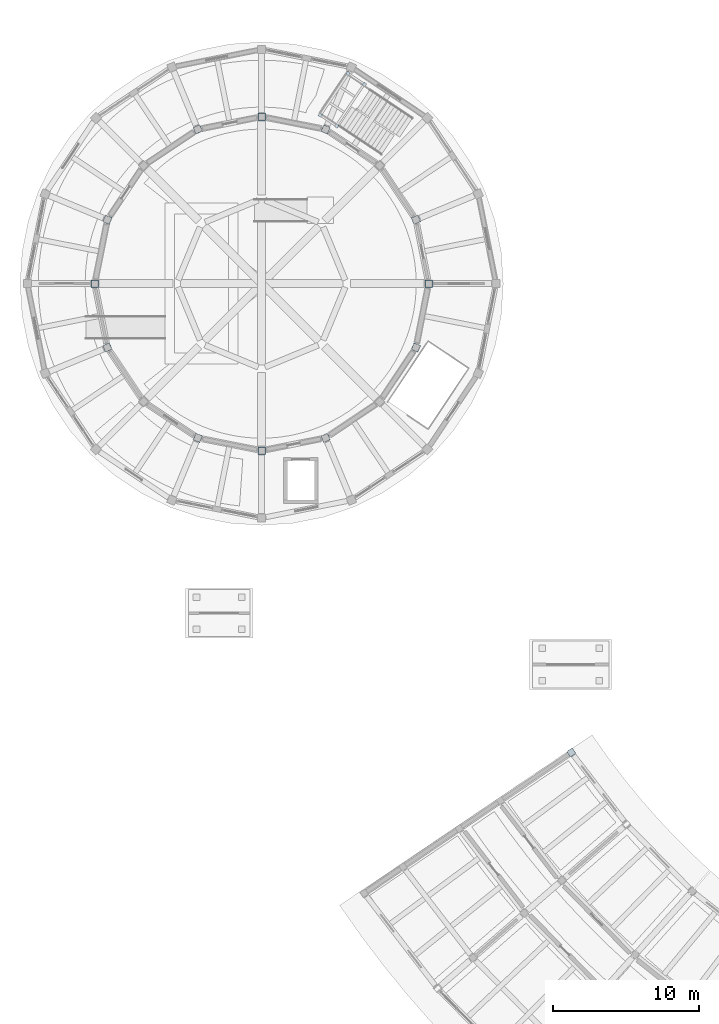
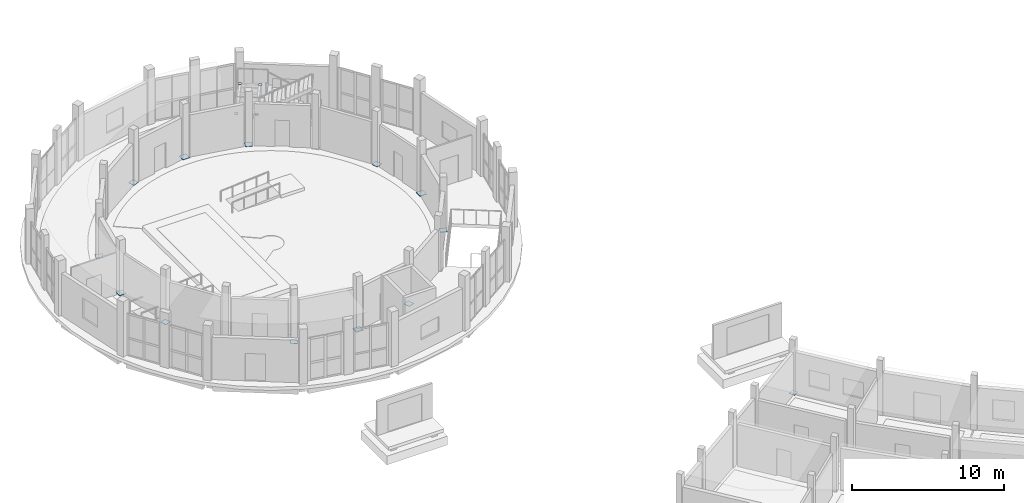
# One storey, part 62 of 92: 17 plates.
"""IFC4 building model written with IfcOpenShell, lengths in metres."""

import ifcopenshell
import ifcopenshell.guid

model = None  # the IFC model being written
_history = None  # IfcOwnerHistory: only IFC2X3 demands one
_inside = {}  # id of a spatial element -> (the spatial element, [elements in it])
_under = {}  # id of a project, library or spatial element -> (it, [spatial elements below it])
_declared = {}  # id of a project -> (the project, [libraries it declares])
_typed = {}  # id of a type object -> (the type object, [elements of that type])
_made_of = {}  # id of a material, layer set ... -> (it, [elements and type objects made of it])


def new_model(schema):
    """Start an empty IFC model of exactly this schema.

    Asked for "IFC4X3", IfcOpenShell would pick the latest addendum, in which some entities
    have other attributes; the version numbers below select the first issue.
    IFC2X3 requires an IfcOwnerHistory on every rooted entity: one is made here for all.
    """
    global model, _history
    if schema == "IFC4X3":
        model = ifcopenshell.file(schema_version=(4, 3, 0, 0))
    else:
        model = ifcopenshell.file(schema=schema)
    _inside.clear()
    _under.clear()
    _declared.clear()
    _typed.clear()
    _made_of.clear()
    _history = None
    if model.schema == "IFC2X3":
        org = make("IfcOrganization", Name="unknown")
        user = make(
            "IfcPersonAndOrganization",
            ThePerson=make("IfcPerson", FamilyName="unknown"),
            TheOrganization=org,
        )
        app = make(
            "IfcApplication",
            ApplicationDeveloper=org,
            Version="unknown",
            ApplicationFullName="unknown",
            ApplicationIdentifier="unknown",
        )
        _history = make(
            "IfcOwnerHistory",
            OwningUser=user,
            OwningApplication=app,
            ChangeAction="ADDED",
            CreationDate=0,
        )
    return model


def make(cls, **values):
    """One entity of the class cls with the attributes given. An attribute that is None is left unset."""
    return model.create_entity(
        cls, **{name: value for name, value in values.items() if value is not None}
    )


def rooted(cls, **values):
    """An entity with a GlobalId (a new one), such as an element, a storey or a relation."""
    return make(cls, GlobalId=ifcopenshell.guid.new(), OwnerHistory=_history, **values)


def si_unit(unit_type, name, prefix=None):
    """IfcSIUnit, for example si_unit("LENGTHUNIT", "METRE", prefix="MILLI")."""
    return make("IfcSIUnit", UnitType=unit_type, Prefix=prefix, Name=name)


def assignment(units):
    """IfcUnitAssignment: the units of a project."""
    return None if units is None else make("IfcUnitAssignment", Units=units)


def point(xyz):
    """IfcCartesianPoint."""
    return None if xyz is None else make("IfcCartesianPoint", Coordinates=xyz)


def direction(xyz):
    """IfcDirection."""
    return None if xyz is None else make("IfcDirection", DirectionRatios=xyz)


def frame(location, z_axis=None, x_axis=None):
    """IfcAxis2Placement3D, a coordinate frame: its origin and axes. An axis left out is left unset."""
    return make(
        "IfcAxis2Placement3D",
        Location=point(location),
        Axis=direction(z_axis),
        RefDirection=direction(x_axis),
    )


def frame_2d(location, x_axis=None):
    """IfcAxis2Placement2D, a coordinate frame in the plane: its origin and x axis."""
    return make(
        "IfcAxis2Placement2D", Location=point(location), RefDirection=direction(x_axis)
    )


def origin():
    """The frame at (0, 0, 0) with its axes left unset."""
    return frame((0.0, 0.0, 0.0))


def origin_2d():
    """The frame at (0, 0) in the plane with its x axis left unset."""
    return frame_2d((0.0, 0.0))


def place(relative_to, where):
    """IfcLocalPlacement: puts the frame where relative to a parent placement (None: the world)."""
    return make(
        "IfcLocalPlacement", PlacementRelTo=relative_to, RelativePlacement=where
    )


def context(
    kind, dimensions, precision=None, world=None, true_north=None, identifier=None
):
    """IfcGeometricRepresentationContext, for example the 3D "Model" context."""
    return make(
        "IfcGeometricRepresentationContext",
        ContextIdentifier=identifier,
        ContextType=kind,
        CoordinateSpaceDimension=dimensions,
        Precision=precision,
        WorldCoordinateSystem=world,
        TrueNorth=true_north,
    )


def subcontext(parent, identifier, kind, view, scale=None):
    """IfcGeometricRepresentationSubContext, for example "Body" below "Model"."""
    return make(
        "IfcGeometricRepresentationSubContext",
        ContextIdentifier=identifier,
        ContextType=kind,
        ParentContext=parent,
        TargetScale=scale,
        TargetView=view,
    )


def project(units=None, contexts=None):
    """IfcProject with its units and contexts."""
    return rooted(
        "IfcProject",
        Name="project",
        RepresentationContexts=contexts,
        UnitsInContext=assignment(units),
    )


def spatial(cls, under=None, at=None, **own):
    """A site, building, storey or space (cls), placed at a placement, below another one or the project."""
    s = rooted(cls, ObjectPlacement=at, **own)
    if under is not None:
        _under.setdefault(under.id(), (under, []))[1].append(s)
    return s


def profile(cls, at=None, kind="AREA", **sizes):
    """A parametric profile (cls). Its sizes go by their IFC names, for example OverallWidth=200.0."""
    return make(cls, ProfileType=kind, Position=at, **sizes)


def rectangle(**sizes):
    """IfcRectangleProfileDef."""
    return profile("IfcRectangleProfileDef", **sizes)


def extrude(swept, where, along, depth):
    """IfcExtrudedAreaSolid: the profile swept, set in the frame where, extruded along a direction by depth."""
    return make(
        "IfcExtrudedAreaSolid",
        SweptArea=swept,
        Position=where,
        ExtrudedDirection=direction(along),
        Depth=depth,
    )


def shape(context_of_items, identifier, shape_type, items):
    """IfcShapeRepresentation: the items that make up one representation, for example the "Body"."""
    return make(
        "IfcShapeRepresentation",
        ContextOfItems=context_of_items,
        RepresentationIdentifier=identifier,
        RepresentationType=shape_type,
        Items=items,
    )


def material(Name=None, Category=None):
    """IfcMaterial."""
    return make("IfcMaterial", Name=Name, Category=Category)


def layer(
    of_material, thickness, ventilated=None, Name=None, Category=None, Priority=None
):
    """IfcMaterialLayer: one layer of a wall or slab, of a material (None: an air gap)."""
    return make(
        "IfcMaterialLayer",
        Material=of_material,
        LayerThickness=thickness,
        IsVentilated=ventilated,
        Name=Name,
        Category=Category,
        Priority=Priority,
    )


def layer_set(layers, Name=None):
    """IfcMaterialLayerSet."""
    return make("IfcMaterialLayerSet", MaterialLayers=layers, LayerSetName=Name)


def made_of(thing, what):
    """Note that an element or type object is made of a material, layer set ...; save() writes the relation."""
    if what is not None:
        _made_of.setdefault(what.id(), (what, []))[1].append(thing)
    return thing


def type_object(cls, material=None, **own):
    """A type object (cls), such as IfcWallType, which elements share."""
    return made_of(rooted(cls, **own), material)


def element(
    cls,
    number,
    at=None,
    inside=None,
    cuts=None,
    type_object=None,
    material=None,
    context=None,
    identifier="Body",
    shape_type=None,
    held_by="IfcProductDefinitionShape",
    body=None,
    shapes=None,
    **own,
):
    """One element of the class cls, such as IfcWall. Its Tag is "e" and its number.

    at: its placement. inside: the storey or other place that contains it. cuts: it is an
    opening in that element (IfcRelVoidsElement). A single representation is given by context,
    identifier, shape_type and body (its items); several are given by shapes. held_by: the class
    of the entity that holds the representations. save() writes the other relations.
    """
    e = rooted(cls, Tag="e%d" % number, ObjectPlacement=at, **own)
    if body is not None:
        shapes = [shape(context, identifier, shape_type, body)]
    if shapes is not None:
        e.Representation = make(held_by, Representations=shapes)
    if inside is not None:
        _inside.setdefault(inside.id(), (inside, []))[1].append(e)
    if cuts is not None:
        rooted(
            "IfcRelVoidsElement", RelatingBuildingElement=cuts, RelatedOpeningElement=e
        )
    if type_object is not None:
        _typed.setdefault(type_object.id(), (type_object, []))[1].append(e)
    return made_of(e, material)


def aggregate(whole, parts):
    """IfcRelAggregates: a whole, such as a stair, and the parts it consists of."""
    return rooted("IfcRelAggregates", RelatingObject=whole, RelatedObjects=parts)


def save(model, path):
    """Write the relations noted so far, then the file.

    IfcRelAggregates (storeys below a building ...), IfcRelContainedInSpatialStructure (elements
    in a storey), IfcRelDefinesByType, IfcRelAssociatesMaterial and IfcRelDeclares: one each for
    every whole, place, type object, material and project.
    """
    for whole, parts in _under.values():
        aggregate(whole, parts)
    for where, things in _inside.values():
        rooted(
            "IfcRelContainedInSpatialStructure",
            RelatedElements=things,
            RelatingStructure=where,
        )
    for kind, things in _typed.values():
        rooted("IfcRelDefinesByType", RelatedObjects=things, RelatingType=kind)
    for what, things in _made_of.values():
        rooted("IfcRelAssociatesMaterial", RelatedObjects=things, RelatingMaterial=what)
    for by, libraries in _declared.values():
        rooted("IfcRelDeclares", RelatingContext=by, RelatedDefinitions=libraries)
    model.write(path)


model = new_model("IFC4")

# Units and contexts
model_context = context("Model", 3, precision=1e-05, world=origin(), true_north=direction((0.0, 1.0)))
body_context = subcontext(model_context, "Body", "Model", "MODEL_VIEW")
ifc_project = project(units=[si_unit("LENGTHUNIT", "METRE"), si_unit("AREAUNIT", "SQUARE_METRE"), si_unit("VOLUMEUNIT", "CUBIC_METRE"), si_unit("PLANEANGLEUNIT", "RADIAN"), si_unit("MASSUNIT", "GRAM", prefix="KILO")], contexts=[model_context])

# Site, building, storey
site_placement = place(None, origin())
site = spatial("IfcSite", under=ifc_project, at=site_placement, CompositionType="ELEMENT")
building_placement = place(site_placement, origin())
building = spatial("IfcBuilding", under=site, at=building_placement, Name="Caldaven Crescent School", CompositionType="ELEMENT")
storey_placement = place(building_placement, origin())
storey = spatial("IfcBuildingStorey", under=building, at=storey_placement, Name="L00", CompositionType="ELEMENT", Elevation=0.0)

# Plates
ifc_material = material(Name="Steel ASTM A572 Grade 50", Category="steel")
ifc_layer_1 = layer(ifc_material, 0.02001953125)
ifc_layer_set_1 = layer_set([ifc_layer_1], Name="Steel ASTM A572 Grade 50")
plate_type_1 = type_object("IfcPlateType", Name="PLT-BAS1", PredefinedType="SHEET", material=ifc_layer_set_1)
for number, where, z_axis, x_axis, name in (
    (1, (34.89990234375, 98.5, 0.0), (0.0, 0.0, 1.0), (1.0, 0.0, 0.0), "PLT-BAS-V2-00"),
    (2, (23.5, 109.89990234375, 0.0), (0.0, 0.0, 1.0), (0.0, 1.0, 0.0), "PLT-BAS-V2-04"),
    (3, (12.10009765625, 98.5, 0.0), (0.0, 0.0, 1.0), (-1.0, 0.0, 0.0), "PLT-BAS-V2-08"),
    (4, (23.5, 87.10009765625, 0.0), (0.0, 0.0, 1.0), (0.0, -1.0, 0.0), "PLT-BAS-V2-12"),
):
    element("IfcPlate", number, at=place(storey_placement, frame(where, z_axis=z_axis, x_axis=x_axis)), inside=storey, type_object=plate_type_1, Name=name, PredefinedType="SHEET", context=body_context, shape_type="SweptSolid", body=[
        extrude(rectangle(XDim=0.52001953125, YDim=0.52001953125, at=origin_2d()), origin(), (0.0, 0.0, 1.0), 0.02001953125),
    ])
ifc_layer_2 = layer(ifc_material, 0.01806640625)
ifc_layer_set_2 = layer_set([ifc_layer_2], Name="Steel ASTM A572 Grade 50")
plate_type_2 = type_object("IfcPlateType", Name="PLT-BAS2", PredefinedType="SHEET", material=ifc_layer_set_2)
plate_placement = place(storey_placement, frame((44.637451171875, 66.492431640625, 0.0), z_axis=(0.0, 0.0, 1.0), x_axis=(-0.826786154745, -0.562516359159, 0.0)))
element("IfcPlate", 5, at=plate_placement, inside=storey, type_object=plate_type_2, Name="PLT-SPL-V4W-00-0", PredefinedType="SHEET", context=body_context, shape_type="SweptSolid", body=[
    extrude(rectangle(XDim=0.43994140625, YDim=0.43994140625, at=origin_2d()), origin(), (0.0, 0.0, 1.0), 0.01806640625),
])
ifc_layer_3 = layer(ifc_material, 0.01806640625)
ifc_layer_set_3 = layer_set([ifc_layer_3], Name="Steel ASTM A572 Grade 50")
plate_type_3 = type_object("IfcPlateType", Name="PLT-BAS3", PredefinedType="SHEET", material=ifc_layer_set_3)
for number, where, z_axis, x_axis, name in (
    (6, (34.0322265625, 102.862548828125, 0.0009765625), (0.0, 0.0, 1.0), (0.923879532511, 0.382683432365, 0.0), "PLT-BAS-V2-01"),
    (7, (27.862548828125, 109.0322265625, 0.0009765625), (0.0, 0.0, 1.0), (0.382683432365, 0.923879532511, 0.0), "PLT-BAS-V2-03"),
    (8, (19.137451171875, 109.0322265625, 0.0009765625), (0.0, 0.0, 1.0), (-0.382683432365, 0.923879532511, 0.0), "PLT-BAS-V2-05"),
    (9, (12.9677734375, 102.862548828125, 0.0009765625), (0.0, 0.0, 1.0), (-0.923879532511, 0.382683432365, 0.0), "PLT-BAS-V2-07"),
    (10, (12.9677734375, 94.137451171875, 0.0009765625), (0.0, 0.0, 1.0), (-0.923879532511, -0.382683432365, 0.0), "PLT-BAS-V2-09"),
    (11, (19.137451171875, 87.9677734375, 0.0009765625), (0.0, 0.0, 1.0), (-0.382683432365, -0.923879532511, 0.0), "PLT-BAS-V2-11"),
    (12, (27.862548828125, 87.9677734375, 0.0009765625), (0.0, 0.0, 1.0), (0.382683432365, -0.923879532511, 0.0), "PLT-BAS-V2-13"),
    (13, (34.0322265625, 94.137451171875, 0.0009765625), (0.0, 0.0, 1.0), (0.923879532511, -0.382683432365, 0.0), "PLT-BAS-V2-15"),
):
    element("IfcPlate", number, at=place(storey_placement, frame(where, z_axis=z_axis, x_axis=x_axis)), inside=storey, type_object=plate_type_3, Name=name, PredefinedType="SHEET", context=body_context, shape_type="SweptSolid", body=[
        extrude(rectangle(XDim=0.47998046875, YDim=0.47998046875, at=origin_2d()), origin(), (0.0, 0.0, 1.0), 0.01806640625),
    ])
ifc_layer_4 = layer(ifc_material, 0.01806640625)
ifc_layer_set_4 = layer_set([ifc_layer_4], Name="Steel ASTM A572 Grade 50")
plate_type_4 = type_object("IfcPlateType", Name="PLT-CAP18", PredefinedType="USERDEFINED", material=ifc_layer_set_4)
for number, where, z_axis, x_axis, name in (
    (14, (30.52001953125, 112.102294921875, 2.014892578125), (0.0, 0.0, 1.0), (-0.831469612303, 0.55557023302, 0.0), "CAP-STPOST-STV2-L00-A"),
    (15, (28.6201171875, 109.258544921875, 2.014892578125), (0.0, 0.0, 1.0), (-0.831469612303, 0.55557023302, 0.0), "CAP-STPOST-STV2-L00-B"),
    (16, (29.397705078125, 112.852294921875, 2.014892578125), (0.0, 0.0, 1.0), (-0.831469612303, 0.55557023302, 0.0), "CAP-STPOST-STV2-L00-C"),
    (17, (27.49755859375, 110.008544921875, 2.014892578125), (0.0, 0.0, 1.0), (-0.831469612303, 0.55557023302, 0.0), "CAP-STPOST-STV2-L00-D"),
):
    element("IfcPlate", number, at=place(storey_placement, frame(where, z_axis=z_axis, x_axis=x_axis)), inside=storey, type_object=plate_type_4, Name=name, ObjectType="CAP_PLATE", PredefinedType="USERDEFINED", context=body_context, shape_type="SweptSolid", body=[
        extrude(rectangle(XDim=0.219970703125, YDim=0.219970703125, at=origin_2d()), origin(), (0.0, 0.0, 1.0), 0.01806640625),
    ])

save(model, "model.ifc")
